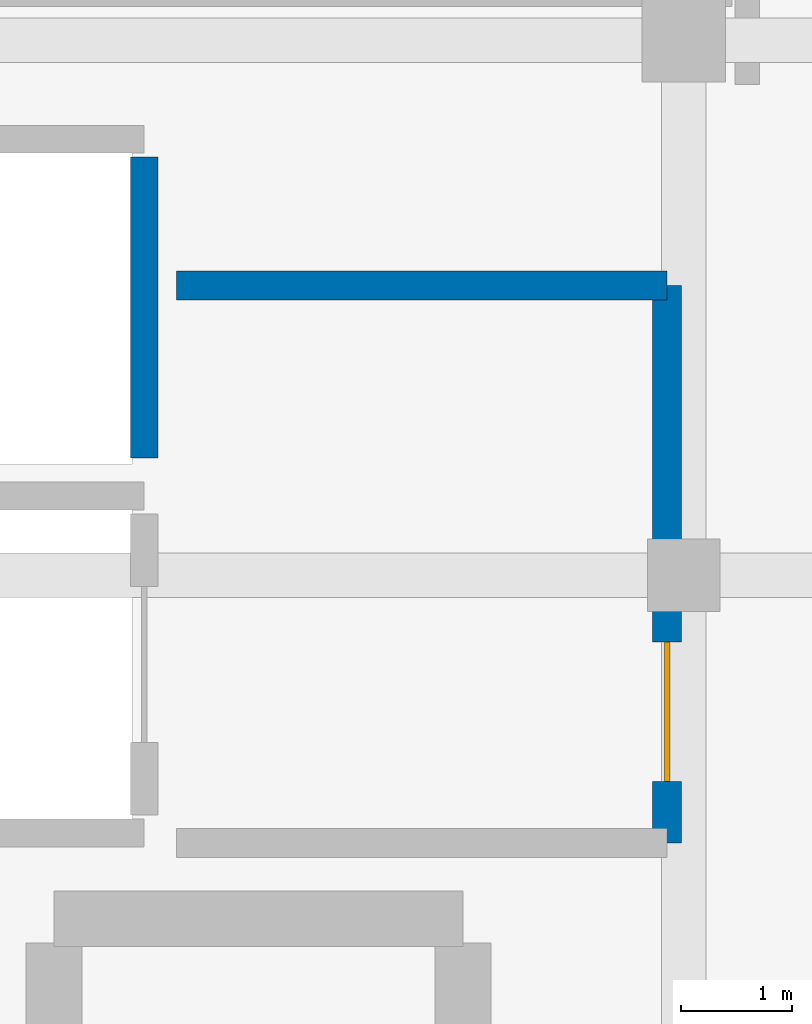
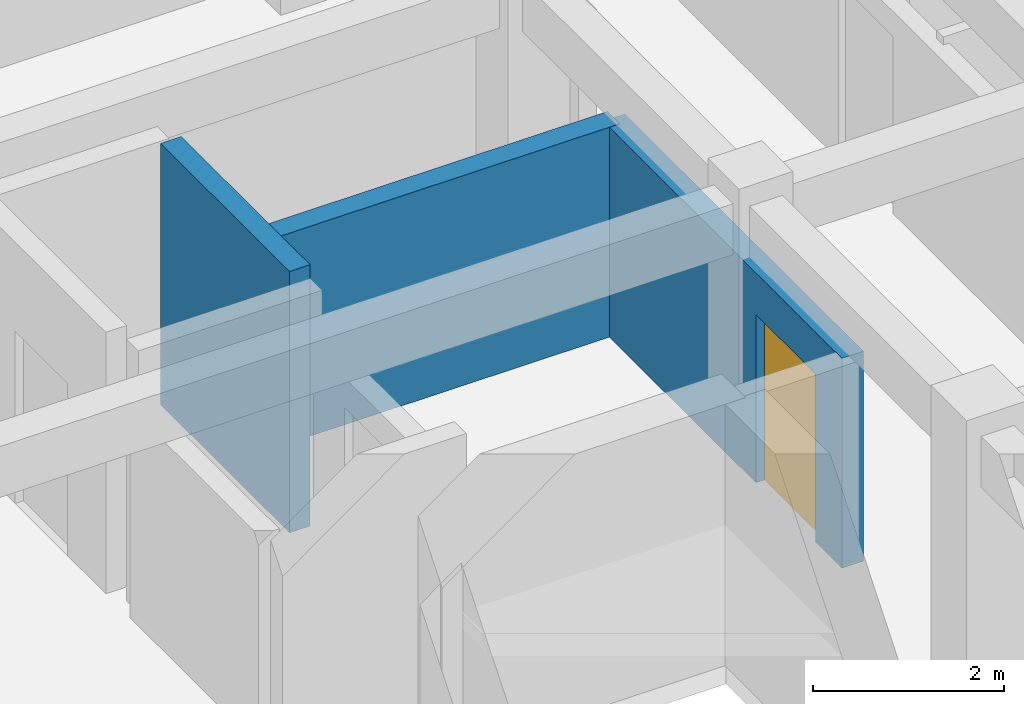
# One storey, part 52 of 64: 3 walls, 1 door, 1 opening.
"""IFC4 building model written with IfcOpenShell, lengths in metres."""

from ifc_helpers import new_model, si_unit, direction, frame, frame_2d, origin, place, context, subcontext, project, spatial, rectangle, extrude, material, layer, layer_set, type_object, element, fill, save


model = new_model("IFC4")

# Units and contexts
model_context = context("Model", 3, precision=1e-05, world=origin(), true_north=direction((0.0, 1.0)))
body_context = subcontext(model_context, "Body", "Model", "MODEL_VIEW")
ifc_project = project(units=[si_unit("LENGTHUNIT", "METRE"), si_unit("AREAUNIT", "SQUARE_METRE"), si_unit("VOLUMEUNIT", "CUBIC_METRE"), si_unit("PLANEANGLEUNIT", "RADIAN"), si_unit("MASSUNIT", "GRAM", prefix="KILO")], contexts=[model_context])

# Site, building, storey
site_placement = place(None, origin())
site = spatial("IfcSite", under=ifc_project, at=site_placement, CompositionType="ELEMENT")
building_placement = place(site_placement, origin())
building = spatial("IfcBuilding", under=site, at=building_placement, Name="Nakhvara Creek Congress Hotel", CompositionType="ELEMENT")
storey_placement = place(building_placement, frame((0.0, 0.0, 28.199951171875)))
storey = spatial("IfcBuildingStorey", under=building, at=storey_placement, Name="L06", CompositionType="ELEMENT", Elevation=28.199951171875)

# Wall, opening, door
ifc_material_1 = material(Name="Concrete C40/50", Category="concrete")
ifc_layer_1 = layer(ifc_material_1, 0.260009765625)
ifc_layer_set_1 = layer_set([ifc_layer_1], Name="Concrete C40/50")
wall_type_1 = type_object("IfcWallType", Name="W-FFL-260", PredefinedType="SOLIDWALL", material=ifc_layer_set_1)
wall_1_placement = place(storey_placement, frame((162.199951171875, 88.800048828125, 0.0), z_axis=(0.0, 0.0, 1.0), x_axis=(0.0, 1.0, 0.0)))
wall_1 = element("IfcWall", 1, at=wall_1_placement, inside=storey, type_object=wall_type_1, Name="Core Shear Wall WI03-CWALL-L06-0160", PredefinedType="SOLIDWALL", context=body_context, shape_type="SweptSolid", body=[
    extrude(rectangle(XDim=5.0, YDim=0.260009765625, at=frame_2d((2.5, 0.0))), origin(), (0.0, 0.0, 1.0), 2.68212890625),
])
opening_placement = place(wall_1_placement, frame((0.550048828125, 0.0, 0.0)))
opening = element("IfcOpeningElement", 2, at=opening_placement, cuts=wall_1, Name="Opening FD05", PredefinedType="OPENING", context=body_context, shape_type="SweptSolid", body=[
    extrude(rectangle(XDim=1.25, YDim=2.14990234375, at=frame_2d((0.625, 1.074951171875))), frame((0.0, 0.14208984375, 0.0), z_axis=(0.0, -1.0, 0.0), x_axis=(1.0, 0.0, 0.0)), (0.0, 0.0, 1.0), 0.283935546875),
])
ifc_material_2 = material(Name="Hardwood-veneered steel fire door", Category="steel")
door_type = type_object("IfcDoorType", Name="DT-FFL-125", OperationType="NOTDEFINED", PredefinedType="DOOR", material=ifc_material_2)
door_placement = place(opening_placement, origin())
door = element("IfcDoor", 3, at=door_placement, inside=storey, type_object=door_type, Name="Firefighting Lobby Door C1-L06", OperationType="DOUBLE_DOOR_SINGLE_SWING", OverallHeight=2.14990234375, OverallWidth=1.25, PredefinedType="DOOR", context=body_context, shape_type="SweptSolid", body=[
    extrude(rectangle(XDim=1.25, YDim=2.14990234375, at=frame_2d((0.625, 1.074951171875))), frame((0.0, 0.02490234375, 0.0), z_axis=(0.0, -1.0, 0.0), x_axis=(1.0, 0.0, 0.0)), (0.0, 0.0, 1.0), 0.050048828125),
])
fill(opening, door)

# Walls
wall_2_placement = place(storey_placement, frame((157.800048828125, 93.800048828125, 0.0), z_axis=(0.0, 0.0, 1.0), x_axis=(1.0, 0.0, 0.0)))
element("IfcWall", 4, at=wall_2_placement, inside=storey, type_object=wall_type_1, Name="Core Shear Wall WI03-CWALL-L06-0162", PredefinedType="SOLIDWALL", context=body_context, shape_type="SweptSolid", body=[
    extrude(rectangle(XDim=4.39990234375, YDim=0.260009765625, at=frame_2d((2.199951171875, 0.0))), origin(), (0.0, 0.0, 1.0), 2.68212890625),
])
ifc_layer_2 = layer(ifc_material_1, 0.25)
ifc_layer_set_2 = layer_set([ifc_layer_2], Name="Concrete C40/50")
wall_type_2 = type_object("IfcWallType", Name="W-SHAFT-250", PredefinedType="SOLIDWALL", material=ifc_layer_set_2)
wall_3_placement = place(storey_placement, frame((157.510009765625, 92.25, 0.0), z_axis=(0.0, 0.0, 1.0), x_axis=(0.0, 1.0, 0.0)))
element("IfcWall", 5, at=wall_3_placement, inside=storey, type_object=wall_type_2, Name="Core Shear Wall WI02-CWALL-L06-0155", PredefinedType="SOLIDWALL", context=body_context, shape_type="SweptSolid", body=[
    extrude(rectangle(XDim=2.699951171875, YDim=0.25, at=frame_2d((1.35009765625, 0.0))), origin(), (0.0, 0.0, 1.0), 3.340087890625),
])

save(model, "model.ifc")
